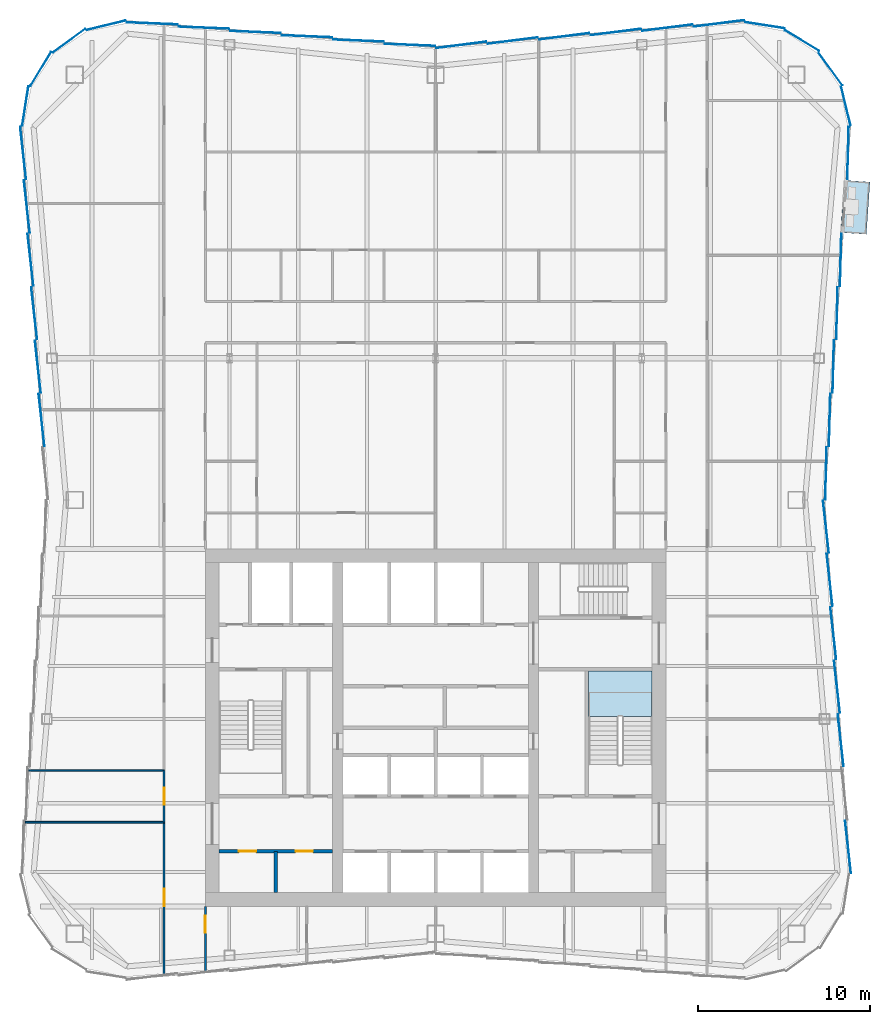
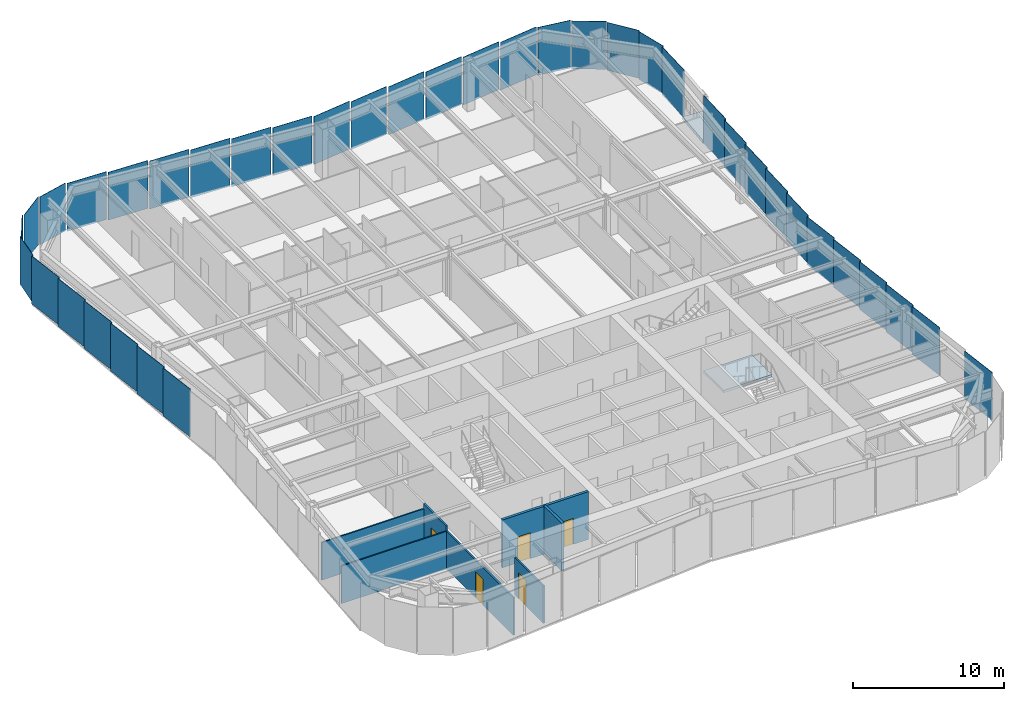
# One storey, part 5 of 12: 38 plates, 7 walls, 5 doors, 2 slabs, 5 openings, 6 elements without a shape of their own.
"""IFC4 building model written with IfcOpenShell, lengths in metres."""

from ifc_helpers import new_model, si_unit, direction, frame, frame_2d, origin, origin_2d, place, context, subcontext, project, spatial, polyline, rectangle, outline, extrude, material, layer, layer_set, type_object, element, fill, aggregate, save


model = new_model("IFC4")

# Units and contexts
model_context = context("Model", 3, precision=1e-05, world=origin(), true_north=direction((0.0, 1.0)))
body_context = subcontext(model_context, "Body", "Model", "MODEL_VIEW")
ifc_project = project(units=[si_unit("LENGTHUNIT", "METRE"), si_unit("AREAUNIT", "SQUARE_METRE"), si_unit("VOLUMEUNIT", "CUBIC_METRE"), si_unit("PLANEANGLEUNIT", "RADIAN"), si_unit("MASSUNIT", "GRAM", prefix="KILO")], contexts=[model_context])

# Site, building, storey
site_placement = place(None, origin())
site = spatial("IfcSite", under=ifc_project, at=site_placement, CompositionType="ELEMENT")
building_placement = place(site_placement, origin())
building = spatial("IfcBuilding", under=site, at=building_placement, Name="Verdant Reach Tower", CompositionType="ELEMENT")
storey_placement = place(building_placement, frame((0.0, 0.0, 242.0)))
storey = spatial("IfcBuildingStorey", under=building, at=storey_placement, Name="L55", CompositionType="ELEMENT", Elevation=242.0)

# Stair, slab
ifc_material_1 = material(Name="Concrete C40/50", Category="concrete")
stair_type = type_object("IfcStairType", Name="CO-STAIR", PredefinedType="HALF_TURN_STAIR", material=ifc_material_1)
stair_placement = place(storey_placement, origin())
stair = element("IfcStair", 1, at=stair_placement, inside=storey, type_object=stair_type, Name="L55 Exit stair 2", PredefinedType="HALF_TURN_STAIR")
ifc_layer_1 = layer(ifc_material_1, 0.199951171875)
ifc_layer_set_1 = layer_set([ifc_layer_1], Name="CO-STAIR-LANDING")
slab_type_1 = type_object("IfcSlabType", Name="CO-STAIR-LANDING", PredefinedType="LANDING", material=ifc_layer_set_1)
slab_1_placement = place(storey_placement, frame((0.0, 0.0, 1.800048828125)))
slab_1 = element("IfcSlab", 2, at=slab_1_placement, type_object=slab_type_1, Name="ST-2 landing 1", PredefinedType="LANDING", context=body_context, shape_type="SweptSolid", body=[
    extrude(outline(polyline([(12.60009765625, 28.64990234375), (12.60009765625, 31.300048828125), (8.89990234375, 31.300048828125), (8.89990234375, 28.64990234375), (12.60009765625, 28.64990234375)])), origin(), (0.0, 0.0, 1.0), 0.199951171875),
])
aggregate(stair, [slab_1])

# Slab
ifc_material_2 = material(Name="Concrete C35/45", Category="concrete")
ifc_layer_2 = layer(ifc_material_2, 0.25)
ifc_layer_set_2 = layer_set([ifc_layer_2], Name="EN-BALCONY SLAB")
slab_type_2 = type_object("IfcSlabType", Name="EN-BALCONY SLAB", PredefinedType="FLOOR", material=ifc_layer_set_2)
slab_2_placement = place(storey_placement, frame((0.0, 0.0, -0.25)))
element("IfcSlab", 3, at=slab_2_placement, inside=storey, type_object=slab_type_2, Name="Balcony slab 1, L55", PredefinedType="FLOOR", context=body_context, shape_type="SweptSolid", body=[
    extrude(outline(polyline([(23.57373046875, 56.819580078125), (23.783447265625, 59.85888671875), (25.27978515625, 59.755615234375), (25.0703125, 56.71630859375), (23.57373046875, 56.819580078125)])), origin(), (0.0, 0.0, 1.0), 0.25),
])

# Curtain wall, plates
ifc_material_3 = material(Name="Anodised aluminium", Category="aluminium")
curtain_wall_type = type_object("IfcCurtainWallType", Name="EN-CW SYSTEM Z4", PredefinedType="NOTDEFINED", material=ifc_material_3)
curtain_wall_1_placement = place(storey_placement, origin())
curtain_wall_1 = element("IfcCurtainWall", 4, at=curtain_wall_1_placement, inside=storey, type_object=curtain_wall_type, Name="Curtain wall east, L55", PredefinedType="NOTDEFINED")
ifc_material_4 = material(Name="Tinted glass with champagne spandrel", Category="glass")
ifc_layer_3 = layer(ifc_material_4, 0.031982421875)
ifc_layer_set_3 = layer_set([ifc_layer_3], Name="EN-PANEL CHAMPAGNE")
plate_type_1 = type_object("IfcPlateType", Name="EN-PANEL CHAMPAGNE", PredefinedType="CURTAIN_PANEL", material=ifc_layer_set_3)
plate_1_placement = place(storey_placement, frame((23.575927734375, 27.275634765625, -0.221923828125), z_axis=(0.0, 0.0, 1.0), x_axis=(-0.110518162674, 0.993874104562, 0.0)))
plate_1 = element("IfcPlate", 5, at=plate_1_placement, type_object=plate_type_1, Name="Glass panel east face part 1 3.1, L55", PredefinedType="CURTAIN_PANEL", context=body_context, shape_type="SweptSolid", body=[
    extrude(rectangle(XDim=3.050537109375, YDim=0.031982421875, at=origin_2d()), origin(), (0.0, 0.0, 1.0), 3.8720703125),
])
plate_2_placement = place(storey_placement, frame((23.36181640625, 30.3828125, -0.221923828125), z_axis=(0.0, 0.0, 1.0), x_axis=(-0.110518162674, 0.993874104562, 0.0)))
plate_2 = element("IfcPlate", 6, at=plate_2_placement, type_object=plate_type_1, Name="Glass panel east face part 1 4.1, L55", PredefinedType="CURTAIN_PANEL", context=body_context, shape_type="SweptSolid", body=[
    extrude(rectangle(XDim=3.050537109375, YDim=0.031982421875, at=origin_2d()), origin(), (0.0, 0.0, 1.0), 3.8720703125),
])
plate_3_placement = place(storey_placement, frame((23.1474609375, 33.48974609375, -0.221923828125), z_axis=(0.0, 0.0, 1.0), x_axis=(-0.110518162674, 0.993874104562, 0.0)))
plate_3 = element("IfcPlate", 7, at=plate_3_placement, type_object=plate_type_1, Name="Glass panel east face part 1 5.1, L55", PredefinedType="CURTAIN_PANEL", context=body_context, shape_type="SweptSolid", body=[
    extrude(rectangle(XDim=3.050537109375, YDim=0.031982421875, at=origin_2d()), origin(), (0.0, 0.0, 1.0), 3.8720703125),
])
plate_4_placement = place(storey_placement, frame((23.575927734375, 55.224365234375, -0.221923828125), z_axis=(0.0, 0.0, 1.0), x_axis=(0.026965318308, 0.999636369691, 0.0)))
plate_4 = element("IfcPlate", 8, at=plate_4_placement, type_object=plate_type_1, Name="Glass panel east face part 2 5.1, L55", PredefinedType="CURTAIN_PANEL", context=body_context, shape_type="SweptSolid", body=[
    extrude(rectangle(XDim=3.050537109375, YDim=0.031982421875, at=origin_2d()), origin(), (0.0, 0.0, 1.0), 3.8720703125),
])

curtain_wall_2_placement = place(storey_placement, origin())
curtain_wall_2 = element("IfcCurtainWall", 9, at=curtain_wall_2_placement, inside=storey, type_object=curtain_wall_type, Name="Curtain wall north-east corner, L55", PredefinedType="NOTDEFINED")
plate_5_placement = place(storey_placement, frame((21.330322265625, 67.984375, -0.221923828125), z_axis=(0.0, 0.0, 1.0), x_axis=(-0.853988708265, 0.520291539577, 0.0)))
plate_5 = element("IfcPlate", 10, at=plate_5_placement, type_object=plate_type_1, Name="Glass panel north-east corner 3.1, L55", PredefinedType="CURTAIN_PANEL", context=body_context, shape_type="SweptSolid", body=[
    extrude(rectangle(XDim=2.32080078125, YDim=0.031982421875, at=origin_2d()), origin(), (0.0, 0.0, 1.0), 3.8720703125),
])
plate_6_placement = place(storey_placement, frame((19.172607421875, 68.87939453125, -0.221923828125), z_axis=(0.0, 0.0, 1.0), x_axis=(-0.98802725693, 0.154279420415, 0.0)))
plate_6 = element("IfcPlate", 11, at=plate_6_placement, type_object=plate_type_1, Name="Glass panel north-east corner 4.1, L55", PredefinedType="CURTAIN_PANEL", context=body_context, shape_type="SweptSolid", body=[
    extrude(rectangle(XDim=2.314453125, YDim=0.031982421875, at=origin_2d()), origin(), (0.0, 0.0, 1.0), 3.8720703125),
])

curtain_wall_3_placement = place(storey_placement, origin())
curtain_wall_3 = element("IfcCurtainWall", 12, at=curtain_wall_3_placement, inside=storey, type_object=curtain_wall_type, Name="Curtain wall north, L55", PredefinedType="NOTDEFINED")
plate_7_placement = place(storey_placement, frame((13.49072265625, 68.736572265625, -0.221923828125), z_axis=(0.0, 0.0, 1.0), x_axis=(-0.992194034542, -0.124703639961, 0.0)))
plate_7 = element("IfcPlate", 13, at=plate_7_placement, type_object=plate_type_1, Name="Glass panel north face part 1 2.1, L55", PredefinedType="CURTAIN_PANEL", context=body_context, shape_type="SweptSolid", body=[
    extrude(rectangle(XDim=2.9462890625, YDim=0.031982421875, at=origin_2d()), origin(), (0.0, 0.0, 1.0), 3.8720703125),
])
plate_8_placement = place(storey_placement, frame((10.49072265625, 68.486572265625, -0.221923828125), z_axis=(0.0, 0.0, 1.0), x_axis=(-0.992194034542, -0.124703639961, 0.0)))
plate_8 = element("IfcPlate", 14, at=plate_8_placement, type_object=plate_type_1, Name="Glass panel north face part 1 3.1, L55", PredefinedType="CURTAIN_PANEL", context=body_context, shape_type="SweptSolid", body=[
    extrude(rectangle(XDim=2.9462890625, YDim=0.031982421875, at=origin_2d()), origin(), (0.0, 0.0, 1.0), 3.8720703125),
])
plate_9_placement = place(storey_placement, frame((-7.49072265625, 68.236572265625, -0.221923828125), z_axis=(0.0, 0.0, 1.0), x_axis=(-0.999149202059, 0.041241629766, 0.0)))
plate_9 = element("IfcPlate", 15, at=plate_9_placement, type_object=plate_type_1, Name="Glass panel north face part 2 3.1, L55", PredefinedType="CURTAIN_PANEL", context=body_context, shape_type="SweptSolid", body=[
    extrude(rectangle(XDim=2.9462890625, YDim=0.031982421875, at=origin_2d()), origin(), (0.0, 0.0, 1.0), 3.8720703125),
])
plate_10_placement = place(storey_placement, frame((-10.49072265625, 68.486572265625, -0.221923828125), z_axis=(0.0, 0.0, 1.0), x_axis=(-0.999149202059, 0.041241629766, 0.0)))
plate_10 = element("IfcPlate", 16, at=plate_10_placement, type_object=plate_type_1, Name="Glass panel north face part 2 4.1, L55", PredefinedType="CURTAIN_PANEL", context=body_context, shape_type="SweptSolid", body=[
    extrude(rectangle(XDim=2.9462890625, YDim=0.031982421875, at=origin_2d()), origin(), (0.0, 0.0, 1.0), 3.8720703125),
])
plate_11_placement = place(storey_placement, frame((-13.49072265625, 68.736572265625, -0.221923828125), z_axis=(0.0, 0.0, 1.0), x_axis=(-0.999149202059, 0.041241629766, 0.0)))
plate_11 = element("IfcPlate", 17, at=plate_11_placement, type_object=plate_type_1, Name="Glass panel north face part 2 5.1, L55", PredefinedType="CURTAIN_PANEL", context=body_context, shape_type="SweptSolid", body=[
    extrude(rectangle(XDim=2.9462890625, YDim=0.031982421875, at=origin_2d()), origin(), (0.0, 0.0, 1.0), 3.8720703125),
])

curtain_wall_4_placement = place(storey_placement, origin())
curtain_wall_4 = element("IfcCurtainWall", 18, at=curtain_wall_4_placement, inside=storey, type_object=curtain_wall_type, Name="Curtain wall north-west corner, L55", PredefinedType="NOTDEFINED")
plate_12_placement = place(storey_placement, frame((-21.330322265625, 67.984375, -0.221923828125), z_axis=(0.0, 0.0, 1.0), x_axis=(-0.80745677573, -0.589926737254, 0.0)))
plate_12 = element("IfcPlate", 19, at=plate_12_placement, type_object=plate_type_1, Name="Glass panel north-west corner 2.1, L55", PredefinedType="CURTAIN_PANEL", context=body_context, shape_type="SweptSolid", body=[
    extrude(rectangle(XDim=2.32080078125, YDim=0.031982421875, at=origin_2d()), origin(), (0.0, 0.0, 1.0), 3.8720703125),
])
plate_13_placement = place(storey_placement, frame((-22.984375, 66.330322265625, -0.221923828125), z_axis=(0.0, 0.0, 1.0), x_axis=(-0.520291539577, -0.853988708265, 0.0)))
plate_13 = element("IfcPlate", 20, at=plate_13_placement, type_object=plate_type_1, Name="Glass panel north-west corner 3.1, L55", PredefinedType="CURTAIN_PANEL", context=body_context, shape_type="SweptSolid", body=[
    extrude(rectangle(XDim=2.32080078125, YDim=0.031982421875, at=origin_2d()), origin(), (0.0, 0.0, 1.0), 3.8720703125),
])

# Curtain wall, plate
curtain_wall_5_placement = place(storey_placement, origin())
curtain_wall_5 = element("IfcCurtainWall", 21, at=curtain_wall_5_placement, inside=storey, type_object=curtain_wall_type, Name="Curtain wall west, L55", PredefinedType="NOTDEFINED")
plate_14_placement = place(storey_placement, frame((-24.004638671875, 61.446044921875, -0.221923828125), z_axis=(0.0, 0.0, 1.0), x_axis=(0.110205903836, -0.993908777886, 0.0)))
plate_14 = element("IfcPlate", 22, at=plate_14_placement, type_object=plate_type_1, Name="Glass panel west face part 1 1.1, L55", PredefinedType="CURTAIN_PANEL", context=body_context, shape_type="SweptSolid", body=[
    extrude(rectangle(XDim=3.0654296875, YDim=0.031982421875, at=origin_2d()), origin(), (0.0, 0.0, 1.0), 3.8720703125),
])

# Plate
ifc_material_5 = material(Name="Tinted glass with copper spandrel", Category="glass")
ifc_layer_4 = layer(ifc_material_5, 0.031982421875)
ifc_layer_set_4 = layer_set([ifc_layer_4], Name="EN-PANEL COPPER")
plate_type_2 = type_object("IfcPlateType", Name="EN-PANEL COPPER", PredefinedType="CURTAIN_PANEL", material=ifc_layer_set_4)
plate_15_placement = place(storey_placement, frame((22.93310546875, 36.596923828125, -0.221923828125), z_axis=(0.0, 0.0, 1.0), x_axis=(-0.110518162674, 0.993874104562, 0.0)))
plate_15 = element("IfcPlate", 23, at=plate_15_placement, type_object=plate_type_2, Name="Glass panel east face part 1 6.1, L55", PredefinedType="CURTAIN_PANEL", context=body_context, shape_type="SweptSolid", body=[
    extrude(rectangle(XDim=3.050537109375, YDim=0.031982421875, at=origin_2d()), origin(), (0.0, 0.0, 1.0), 3.8720703125),
])

plate_16_placement = place(storey_placement, frame((22.718994140625, 39.7001953125, -0.221923828125), z_axis=(0.0, 0.0, 1.0), x_axis=(-0.110603065042, 0.993864659802, 0.0)))
plate_16 = element("IfcPlate", 24, at=plate_16_placement, type_object=plate_type_2, Name="Glass panel east face part 1 7.1, L55", PredefinedType="CURTAIN_PANEL", context=body_context, shape_type="SweptSolid", body=[
    extrude(rectangle(XDim=3.042724609375, YDim=0.031982421875, at=origin_2d()), origin(), (0.0, 0.0, 1.0), 3.8720703125),
])

plate_17_placement = place(storey_placement, frame((22.718994140625, 42.7998046875, -0.221923828125), z_axis=(0.0, 0.0, 1.0), x_axis=(0.027050713229, 0.999634062502, 0.0)))
plate_17 = element("IfcPlate", 25, at=plate_17_placement, type_object=plate_type_2, Name="Glass panel east face part 2 1.1, L55", PredefinedType="CURTAIN_PANEL", context=body_context, shape_type="SweptSolid", body=[
    extrude(rectangle(XDim=3.042724609375, YDim=0.031982421875, at=origin_2d()), origin(), (0.0, 0.0, 1.0), 3.8720703125),
])

plate_18_placement = place(storey_placement, frame((24.004638671875, 61.446044921875, -0.221923828125), z_axis=(0.0, 0.0, 1.0), x_axis=(0.026651253217, 0.999644792265, 0.0)))
plate_18 = element("IfcPlate", 26, at=plate_18_placement, type_object=plate_type_2, Name="Glass panel east face part 2 7.1, L55", PredefinedType="CURTAIN_PANEL", context=body_context, shape_type="SweptSolid", body=[
    extrude(rectangle(XDim=3.0654296875, YDim=0.031982421875, at=origin_2d()), origin(), (0.0, 0.0, 1.0), 3.8720703125),
])

plate_19_placement = place(storey_placement, frame((7.49072265625, 68.236572265625, -0.221923828125), z_axis=(0.0, 0.0, 1.0), x_axis=(-0.992194034542, -0.124703639961, 0.0)))
plate_19 = element("IfcPlate", 27, at=plate_19_placement, type_object=plate_type_2, Name="Glass panel north face part 1 4.1, L55", PredefinedType="CURTAIN_PANEL", context=body_context, shape_type="SweptSolid", body=[
    extrude(rectangle(XDim=2.9462890625, YDim=0.031982421875, at=origin_2d()), origin(), (0.0, 0.0, 1.0), 3.8720703125),
])

plate_20_placement = place(storey_placement, frame((4.49072265625, 67.986572265625, -0.221923828125), z_axis=(0.0, 0.0, 1.0), x_axis=(-0.992194034542, -0.124703639961, 0.0)))
plate_20 = element("IfcPlate", 28, at=plate_20_placement, type_object=plate_type_2, Name="Glass panel north face part 1 5.1, L55", PredefinedType="CURTAIN_PANEL", context=body_context, shape_type="SweptSolid", body=[
    extrude(rectangle(XDim=2.9462890625, YDim=0.031982421875, at=origin_2d()), origin(), (0.0, 0.0, 1.0), 3.8720703125),
])

plate_21_placement = place(storey_placement, frame((1.495361328125, 67.73681640625, -0.221923828125), z_axis=(0.0, 0.0, 1.0), x_axis=(-0.992177950603, -0.124831543836, 0.0)))
plate_21 = element("IfcPlate", 29, at=plate_21_placement, type_object=plate_type_2, Name="Glass panel north face part 1 6.1, L55", PredefinedType="CURTAIN_PANEL", context=body_context, shape_type="SweptSolid", body=[
    extrude(rectangle(XDim=2.93701171875, YDim=0.031982421875, at=origin_2d()), origin(), (0.0, 0.0, 1.0), 3.8720703125),
])

plate_22_placement = place(storey_placement, frame((-16.49853515625, 68.98681640625, -0.221923828125), z_axis=(0.0, 0.0, 1.0), x_axis=(-0.999164016711, 0.040881141246, 0.0)))
plate_22 = element("IfcPlate", 30, at=plate_22_placement, type_object=plate_type_2, Name="Glass panel north face part 2 6.1, L55", PredefinedType="CURTAIN_PANEL", context=body_context, shape_type="SweptSolid", body=[
    extrude(rectangle(XDim=2.9619140625, YDim=0.031982421875, at=origin_2d()), origin(), (0.0, 0.0, 1.0), 3.8720703125),
])

plate_23_placement = place(storey_placement, frame((-23.87939453125, 64.173095703125, -0.221923828125), z_axis=(0.0, 0.0, 1.0), x_axis=(-0.154324690427, -0.988020187003, 0.0)))
plate_23 = element("IfcPlate", 31, at=plate_23_placement, type_object=plate_type_2, Name="Glass panel north-west corner 4.1, L55", PredefinedType="CURTAIN_PANEL", context=body_context, shape_type="SweptSolid", body=[
    extrude(rectangle(XDim=2.313720703125, YDim=0.031982421875, at=origin_2d()), origin(), (0.0, 0.0, 1.0), 3.8720703125),
])

plate_24_placement = place(storey_placement, frame((-23.790283203125, 58.33154296875, -0.221923828125), z_axis=(0.0, 0.0, 1.0), x_axis=(0.110518162674, -0.993874104562, 0.0)))
plate_24 = element("IfcPlate", 32, at=plate_24_placement, type_object=plate_type_2, Name="Glass panel west face part 1 2.1, L55", PredefinedType="CURTAIN_PANEL", context=body_context, shape_type="SweptSolid", body=[
    extrude(rectangle(XDim=3.050537109375, YDim=0.031982421875, at=origin_2d()), origin(), (0.0, 0.0, 1.0), 3.8720703125),
])

plate_25_placement = place(storey_placement, frame((-23.575927734375, 55.224365234375, -0.221923828125), z_axis=(0.0, 0.0, 1.0), x_axis=(0.110518162674, -0.993874104562, 0.0)))
plate_25 = element("IfcPlate", 33, at=plate_25_placement, type_object=plate_type_2, Name="Glass panel west face part 1 3.1, L55", PredefinedType="CURTAIN_PANEL", context=body_context, shape_type="SweptSolid", body=[
    extrude(rectangle(XDim=3.050537109375, YDim=0.031982421875, at=origin_2d()), origin(), (0.0, 0.0, 1.0), 3.8720703125),
])

plate_26_placement = place(storey_placement, frame((-23.36181640625, 52.1171875, -0.221923828125), z_axis=(0.0, 0.0, 1.0), x_axis=(0.110518162674, -0.993874104562, 0.0)))
plate_26 = element("IfcPlate", 34, at=plate_26_placement, type_object=plate_type_2, Name="Glass panel west face part 1 4.1, L55", PredefinedType="CURTAIN_PANEL", context=body_context, shape_type="SweptSolid", body=[
    extrude(rectangle(XDim=3.050537109375, YDim=0.031982421875, at=origin_2d()), origin(), (0.0, 0.0, 1.0), 3.8720703125),
])

ifc_material_6 = material(Name="Tinted glass with dark bronze spandrel", Category="glass")
ifc_layer_5 = layer(ifc_material_6, 0.031982421875)
ifc_layer_set_5 = layer_set([ifc_layer_5], Name="EN-PANEL DARK")
plate_type_3 = type_object("IfcPlateType", Name="EN-PANEL DARK", PredefinedType="CURTAIN_PANEL", material=ifc_layer_set_5)
plate_27_placement = place(storey_placement, frame((24.004638671875, 21.053955078125, -0.221923828125), z_axis=(0.0, 0.0, 1.0), x_axis=(-0.110205903836, 0.993908777886, 0.0)))
plate_27 = element("IfcPlate", 35, at=plate_27_placement, type_object=plate_type_3, Name="Glass panel east face part 1 1.1, L55", PredefinedType="CURTAIN_PANEL", context=body_context, shape_type="SweptSolid", body=[
    extrude(rectangle(XDim=3.0654296875, YDim=0.031982421875, at=origin_2d()), origin(), (0.0, 0.0, 1.0), 3.8720703125),
])

plate_28_placement = place(storey_placement, frame((22.93310546875, 45.903076171875, -0.221923828125), z_axis=(0.0, 0.0, 1.0), x_axis=(0.026965318308, 0.999636369691, 0.0)))
plate_28 = element("IfcPlate", 36, at=plate_28_placement, type_object=plate_type_3, Name="Glass panel east face part 2 2.1, L55", PredefinedType="CURTAIN_PANEL", context=body_context, shape_type="SweptSolid", body=[
    extrude(rectangle(XDim=3.050537109375, YDim=0.031982421875, at=origin_2d()), origin(), (0.0, 0.0, 1.0), 3.8720703125),
])

plate_29_placement = place(storey_placement, frame((23.1474609375, 49.01025390625, -0.221923828125), z_axis=(0.0, 0.0, 1.0), x_axis=(0.026965318308, 0.999636369691, 0.0)))
plate_29 = element("IfcPlate", 37, at=plate_29_placement, type_object=plate_type_3, Name="Glass panel east face part 2 3.1, L55", PredefinedType="CURTAIN_PANEL", context=body_context, shape_type="SweptSolid", body=[
    extrude(rectangle(XDim=3.050537109375, YDim=0.031982421875, at=origin_2d()), origin(), (0.0, 0.0, 1.0), 3.8720703125),
])

plate_30_placement = place(storey_placement, frame((23.36181640625, 52.1171875, -0.221923828125), z_axis=(0.0, 0.0, 1.0), x_axis=(0.026965318308, 0.999636369691, 0.0)))
plate_30 = element("IfcPlate", 38, at=plate_30_placement, type_object=plate_type_3, Name="Glass panel east face part 2 4.1, L55", PredefinedType="CURTAIN_PANEL", context=body_context, shape_type="SweptSolid", body=[
    extrude(rectangle(XDim=3.050537109375, YDim=0.031982421875, at=origin_2d()), origin(), (0.0, 0.0, 1.0), 3.8720703125),
])

aggregate(curtain_wall_1, [plate_27, plate_1, plate_2, plate_3, plate_15, plate_16, plate_17, plate_28, plate_29, plate_30, plate_4, plate_18])

plate_31_placement = place(storey_placement, frame((23.87939453125, 64.173095703125, -0.221923828125), z_axis=(0.0, 0.0, 1.0), x_axis=(-0.236458850433, 0.971641503875, 0.0)))
plate_31 = element("IfcPlate", 39, at=plate_31_placement, type_object=plate_type_3, Name="Glass panel north-east corner 1.1, L55", PredefinedType="CURTAIN_PANEL", context=body_context, shape_type="SweptSolid", body=[
    extrude(rectangle(XDim=2.313720703125, YDim=0.031982421875, at=origin_2d()), origin(), (0.0, 0.0, 1.0), 3.8720703125),
])

plate_32_placement = place(storey_placement, frame((22.984375, 66.330322265625, -0.221923828125), z_axis=(0.0, 0.0, 1.0), x_axis=(-0.589926737254, 0.80745677573, 0.0)))
plate_32 = element("IfcPlate", 40, at=plate_32_placement, type_object=plate_type_3, Name="Glass panel north-east corner 2.1, L55", PredefinedType="CURTAIN_PANEL", context=body_context, shape_type="SweptSolid", body=[
    extrude(rectangle(XDim=2.32080078125, YDim=0.031982421875, at=origin_2d()), origin(), (0.0, 0.0, 1.0), 3.8720703125),
])

aggregate(curtain_wall_2, [plate_31, plate_32, plate_5, plate_6])

plate_33_placement = place(storey_placement, frame((16.49853515625, 68.98681640625, -0.221923828125), z_axis=(0.0, 0.0, 1.0), x_axis=(-0.992238962139, -0.124345655383, 0.0)))
plate_33 = element("IfcPlate", 41, at=plate_33_placement, type_object=plate_type_3, Name="Glass panel north face part 1 1.1, L55", PredefinedType="CURTAIN_PANEL", context=body_context, shape_type="SweptSolid", body=[
    extrude(rectangle(XDim=2.9619140625, YDim=0.031982421875, at=origin_2d()), origin(), (0.0, 0.0, 1.0), 3.8720703125),
])

plate_34_placement = place(storey_placement, frame((-1.495361328125, 67.73681640625, -0.221923828125), z_axis=(0.0, 0.0, 1.0), x_axis=(-0.999143877249, 0.041370430933, 0.0)))
plate_34 = element("IfcPlate", 42, at=plate_34_placement, type_object=plate_type_3, Name="Glass panel north face part 2 1.1, L55", PredefinedType="CURTAIN_PANEL", context=body_context, shape_type="SweptSolid", body=[
    extrude(rectangle(XDim=2.93701171875, YDim=0.031982421875, at=origin_2d()), origin(), (0.0, 0.0, 1.0), 3.8720703125),
])

plate_35_placement = place(storey_placement, frame((-4.49072265625, 67.986572265625, -0.221923828125), z_axis=(0.0, 0.0, 1.0), x_axis=(-0.999149202059, 0.041241629766, 0.0)))
plate_35 = element("IfcPlate", 43, at=plate_35_placement, type_object=plate_type_3, Name="Glass panel north face part 2 2.1, L55", PredefinedType="CURTAIN_PANEL", context=body_context, shape_type="SweptSolid", body=[
    extrude(rectangle(XDim=2.9462890625, YDim=0.031982421875, at=origin_2d()), origin(), (0.0, 0.0, 1.0), 3.8720703125),
])

aggregate(curtain_wall_3, [plate_33, plate_7, plate_8, plate_19, plate_20, plate_21, plate_34, plate_35, plate_9, plate_10, plate_11, plate_22])

plate_36_placement = place(storey_placement, frame((-19.172607421875, 68.87939453125, -0.221923828125), z_axis=(0.0, 0.0, 1.0), x_axis=(-0.971652337104, -0.236414330786, 0.0)))
plate_36 = element("IfcPlate", 44, at=plate_36_placement, type_object=plate_type_3, Name="Glass panel north-west corner 1.1, L55", PredefinedType="CURTAIN_PANEL", context=body_context, shape_type="SweptSolid", body=[
    extrude(rectangle(XDim=2.314453125, YDim=0.031982421875, at=origin_2d()), origin(), (0.0, 0.0, 1.0), 3.8720703125),
])

aggregate(curtain_wall_4, [plate_36, plate_12, plate_13, plate_23])

plate_37_placement = place(storey_placement, frame((-23.1474609375, 49.01025390625, -0.221923828125), z_axis=(0.0, 0.0, 1.0), x_axis=(0.110518162674, -0.993874104562, 0.0)))
plate_37 = element("IfcPlate", 45, at=plate_37_placement, type_object=plate_type_3, Name="Glass panel west face part 1 5.1, L55", PredefinedType="CURTAIN_PANEL", context=body_context, shape_type="SweptSolid", body=[
    extrude(rectangle(XDim=3.050537109375, YDim=0.031982421875, at=origin_2d()), origin(), (0.0, 0.0, 1.0), 3.8720703125),
])

plate_38_placement = place(storey_placement, frame((-22.93310546875, 45.903076171875, -0.221923828125), z_axis=(0.0, 0.0, 1.0), x_axis=(0.110518162674, -0.993874104562, 0.0)))
plate_38 = element("IfcPlate", 46, at=plate_38_placement, type_object=plate_type_3, Name="Glass panel west face part 1 6.1, L55", PredefinedType="CURTAIN_PANEL", context=body_context, shape_type="SweptSolid", body=[
    extrude(rectangle(XDim=3.050537109375, YDim=0.031982421875, at=origin_2d()), origin(), (0.0, 0.0, 1.0), 3.8720703125),
])

aggregate(curtain_wall_5, [plate_14, plate_24, plate_25, plate_26, plate_37, plate_38])

# Wall, openings, doors
ifc_material_7 = material(Name="Gypsum board on steel studs", Category="steel")
ifc_layer_6 = layer(ifc_material_7, 0.199951171875)
ifc_layer_set_6 = layer_set([ifc_layer_6], Name="CO-WALL-ROOM")
wall_type_1 = type_object("IfcWallType", Name="CO-WALL-ROOM", PredefinedType="PARTITIONING", material=ifc_layer_set_6)
wall_1_placement = place(storey_placement, frame((-12.60009765625, 20.800048828125, 0.0), z_axis=(0.0, 0.0, 1.0), x_axis=(1.0, 0.0, 0.0)))
wall_1 = element("IfcWall", 47, at=wall_1_placement, inside=storey, type_object=wall_type_1, Name="Core partition, L55", PredefinedType="PARTITIONING", context=body_context, shape_type="SweptSolid", body=[
    extrude(rectangle(XDim=6.60009765625, YDim=0.199951171875, at=frame_2d((3.300048828125, 0.0))), origin(), (0.0, 0.0, 1.0), 3.8701171875),
])
opening_1_placement = place(wall_1_placement, frame((1.14990234375, 0.0, 0.0)))
opening_1 = element("IfcOpeningElement", 48, at=opening_1_placement, cuts=wall_1, Name="Opening CD", PredefinedType="OPENING", context=body_context, shape_type="SweptSolid", body=[
    extrude(rectangle(XDim=1.0, YDim=2.10009765625, at=frame_2d((0.5, 1.050048828125))), frame((0.0, 0.10986328125, 0.0), z_axis=(0.0, -1.0, 0.0), x_axis=(1.0, 0.0, 0.0)), (0.0, 0.0, 1.0), 0.219970703125),
])
opening_2_placement = place(wall_1_placement, frame((4.449951171875, 0.0, 0.0)))
opening_2 = element("IfcOpeningElement", 49, at=opening_2_placement, cuts=wall_1, Name="Opening CD", PredefinedType="OPENING", context=body_context, shape_type="SweptSolid", body=[
    extrude(rectangle(XDim=1.0, YDim=2.10009765625, at=frame_2d((0.5, 1.050048828125))), frame((0.0, 0.10986328125, 0.0), z_axis=(0.0, -1.0, 0.0), x_axis=(1.0, 0.0, 0.0)), (0.0, 0.0, 1.0), 0.219970703125),
])
ifc_material_8 = material(Name="Timber", Category="wood")
door_type_1 = type_object("IfcDoorType", Name="CO-DOOR-ROOM", OperationType="NOTDEFINED", PredefinedType="DOOR", material=ifc_material_8)
door_1_placement = place(opening_1_placement, origin())
door_1 = element("IfcDoor", 50, at=door_1_placement, inside=storey, type_object=door_type_1, Name="Core room door, L55", OperationType="SINGLE_SWING_LEFT", OverallHeight=2.10009765625, OverallWidth=1.0, PredefinedType="DOOR", context=body_context, shape_type="SweptSolid", body=[
    extrude(rectangle(XDim=1.0, YDim=2.10009765625, at=frame_2d((0.5, 1.050048828125))), frame((0.0, 0.02490234375, 0.0), z_axis=(0.0, -1.0, 0.0), x_axis=(1.0, 0.0, 0.0)), (0.0, 0.0, 1.0), 0.050048828125),
])
fill(opening_1, door_1)
door_2_placement = place(opening_2_placement, origin())
door_2 = element("IfcDoor", 51, at=door_2_placement, inside=storey, type_object=door_type_1, Name="Core room door, L55", OperationType="SINGLE_SWING_LEFT", OverallHeight=2.10009765625, OverallWidth=1.0, PredefinedType="DOOR", context=body_context, shape_type="SweptSolid", body=[
    extrude(rectangle(XDim=1.0, YDim=2.10009765625, at=frame_2d((0.5, 1.050048828125))), frame((0.0, 0.02490234375, 0.0), z_axis=(0.0, -1.0, 0.0), x_axis=(1.0, 0.0, 0.0)), (0.0, 0.0, 1.0), 0.050048828125),
])
fill(opening_2, door_2)

# Walls
wall_2_placement = place(storey_placement, frame((-9.300048828125, 18.39990234375, 0.0), z_axis=(0.0, 0.0, 1.0), x_axis=(0.0, 1.0, 0.0)))
element("IfcWall", 52, at=wall_2_placement, inside=storey, type_object=wall_type_1, Name="Core partition, L55", PredefinedType="PARTITIONING", context=body_context, shape_type="SweptSolid", body=[
    extrude(rectangle(XDim=2.400146484375, YDim=0.199951171875, at=frame_2d((1.2001953125, 0.0))), origin(), (0.0, 0.0, 1.0), 3.8701171875),
])
ifc_layer_7 = layer(ifc_material_7, 0.10009765625)
ifc_layer_set_7 = layer_set([ifc_layer_7], Name="FL-W1 Partition 100")
wall_type_2 = type_object("IfcWallType", Name="FL-W1 Partition 100", PredefinedType="PARTITIONING", material=ifc_layer_set_7)
wall_3_placement = place(storey_placement, frame((-15.800048828125, 22.5, 0.0), z_axis=(0.0, 0.0, 1.0), x_axis=(-1.0, 0.0, 0.0)))
element("IfcWall", 53, at=wall_3_placement, inside=storey, type_object=wall_type_2, Name="Partition 55.38", PredefinedType="PARTITIONING", context=body_context, shape_type="SweptSolid", body=[
    extrude(rectangle(XDim=8.072998046875, YDim=0.10009765625, at=frame_2d((4.03662109375, 0.0))), origin(), (0.0, 0.0, 1.0), 3.0400390625),
])
wall_4_placement = place(storey_placement, frame((-15.800048828125, 25.5, 0.0), z_axis=(0.0, 0.0, 1.0), x_axis=(-1.0, 0.0, 0.0)))
element("IfcWall", 54, at=wall_4_placement, inside=storey, type_object=wall_type_2, Name="Partition 55.39", PredefinedType="PARTITIONING", context=body_context, shape_type="SweptSolid", body=[
    extrude(rectangle(XDim=7.8662109375, YDim=0.10009765625, at=frame_2d((3.93310546875, 0.0))), origin(), (0.0, 0.0, 1.0), 3.0400390625),
])

# Wall, opening, door
ifc_material_9 = material(Name="Gypsum board on steel studs, fire rated", Category="steel")
ifc_layer_8 = layer(ifc_material_9, 0.125)
ifc_layer_set_8 = layer_set([ifc_layer_8], Name="FL-W2 Corridor wall 125")
wall_type_3 = type_object("IfcWallType", Name="FL-W2 Corridor wall 125", PredefinedType="PARTITIONING", material=ifc_layer_set_8)
wall_5_placement = place(storey_placement, frame((-15.800048828125, 13.603271484375, 0.0), z_axis=(0.0, 0.0, 1.0), x_axis=(0.0, 1.0, 0.0)))
wall_5 = element("IfcWall", 55, at=wall_5_placement, inside=storey, type_object=wall_type_3, Name="Partition 55.01", PredefinedType="PARTITIONING", context=body_context, shape_type="SweptSolid", body=[
    extrude(rectangle(XDim=8.896728515625, YDim=0.125, at=frame_2d((4.4482421875, 0.0))), origin(), (0.0, 0.0, 1.0), 3.0400390625),
])
opening_3_placement = place(wall_5_placement, frame((4.013427734375, 0.0, 0.0)))
opening_3 = element("IfcOpeningElement", 56, at=opening_3_placement, cuts=wall_5, Name="Opening D2", PredefinedType="OPENING", context=body_context, shape_type="SweptSolid", body=[
    extrude(rectangle(XDim=1.0, YDim=2.10009765625, at=frame_2d((0.5, 1.050048828125))), frame((0.0, 0.072509765625, 0.0), z_axis=(0.0, -1.0, 0.0), x_axis=(1.0, 0.0, 0.0)), (0.0, 0.0, 1.0), 0.14501953125),
])
ifc_material_10 = material(Name="Timber door leaf, fire rated", Category="wood")
door_type_2 = type_object("IfcDoorType", Name="FL-D2 Entrance door 1000x2100 FD30", OperationType="NOTDEFINED", PredefinedType="DOOR", material=ifc_material_10)
door_3_placement = place(opening_3_placement, origin())
door_3 = element("IfcDoor", 57, at=door_3_placement, inside=storey, type_object=door_type_2, Name="Door 55-001", OperationType="SINGLE_SWING_RIGHT", OverallHeight=2.10009765625, OverallWidth=1.0, PredefinedType="DOOR", context=body_context, shape_type="SweptSolid", body=[
    extrude(rectangle(XDim=1.0, YDim=2.10009765625, at=frame_2d((0.5, 1.050048828125))), frame((0.0, 0.02490234375, 0.0), z_axis=(0.0, -1.0, 0.0), x_axis=(1.0, 0.0, 0.0)), (0.0, 0.0, 1.0), 0.050048828125),
])
fill(opening_3, door_3)

wall_6_placement = place(storey_placement, frame((-15.800048828125, 22.5, 0.0), z_axis=(0.0, 0.0, 1.0), x_axis=(0.0, 1.0, 0.0)))
wall_6 = element("IfcWall", 58, at=wall_6_placement, inside=storey, type_object=wall_type_3, Name="Partition 55.02", PredefinedType="PARTITIONING", context=body_context, shape_type="SweptSolid", body=[
    extrude(rectangle(XDim=3.0, YDim=0.125, at=frame_2d((1.5, 0.0))), origin(), (0.0, 0.0, 1.0), 3.43994140625),
])
opening_4_placement = place(wall_6_placement, frame((1.0, 0.0, 0.0)))
opening_4 = element("IfcOpeningElement", 59, at=opening_4_placement, cuts=wall_6, Name="Opening D2", PredefinedType="OPENING", context=body_context, shape_type="SweptSolid", body=[
    extrude(rectangle(XDim=1.0, YDim=2.10009765625, at=frame_2d((0.5, 1.050048828125))), frame((0.0, 0.072509765625, 0.0), z_axis=(0.0, -1.0, 0.0), x_axis=(1.0, 0.0, 0.0)), (0.0, 0.0, 1.0), 0.14501953125),
])
door_4_placement = place(opening_4_placement, origin())
door_4 = element("IfcDoor", 60, at=door_4_placement, inside=storey, type_object=door_type_2, Name="Door 55-002", OperationType="SINGLE_SWING_RIGHT", OverallHeight=2.10009765625, OverallWidth=1.0, PredefinedType="DOOR", context=body_context, shape_type="SweptSolid", body=[
    extrude(rectangle(XDim=1.0, YDim=2.10009765625, at=frame_2d((0.5, 1.050048828125))), frame((0.0, 0.02490234375, 0.0), z_axis=(0.0, -1.0, 0.0), x_axis=(1.0, 0.0, 0.0)), (0.0, 0.0, 1.0), 0.050048828125),
])
fill(opening_4, door_4)

wall_7_placement = place(storey_placement, frame((-13.39990234375, 17.60009765625, 0.0), z_axis=(0.0, 0.0, 1.0), x_axis=(0.0, -1.0, 0.0)))
wall_7 = element("IfcWall", 61, at=wall_7_placement, inside=storey, type_object=wall_type_3, Name="Partition 55.15", PredefinedType="PARTITIONING", context=body_context, shape_type="SweptSolid", body=[
    extrude(rectangle(XDim=3.796875, YDim=0.125, at=frame_2d((1.8984375, 0.0))), origin(), (0.0, 0.0, 1.0), 3.0400390625),
])
opening_5_placement = place(wall_7_placement, frame((0.533203125, 0.0, 0.0)))
opening_5 = element("IfcOpeningElement", 62, at=opening_5_placement, cuts=wall_7, Name="Opening D2", PredefinedType="OPENING", context=body_context, shape_type="SweptSolid", body=[
    extrude(rectangle(XDim=1.0, YDim=2.10009765625, at=frame_2d((0.5, 1.050048828125))), frame((0.0, 0.072509765625, 0.0), z_axis=(0.0, -1.0, 0.0), x_axis=(1.0, 0.0, 0.0)), (0.0, 0.0, 1.0), 0.14501953125),
])
door_5_placement = place(opening_5_placement, origin())
door_5 = element("IfcDoor", 63, at=door_5_placement, inside=storey, type_object=door_type_2, Name="Door 55-015", OperationType="SINGLE_SWING_LEFT", OverallHeight=2.10009765625, OverallWidth=1.0, PredefinedType="DOOR", context=body_context, shape_type="SweptSolid", body=[
    extrude(rectangle(XDim=1.0, YDim=2.10009765625, at=frame_2d((0.5, 1.050048828125))), frame((0.0, 0.02490234375, 0.0), z_axis=(0.0, -1.0, 0.0), x_axis=(1.0, 0.0, 0.0)), (0.0, 0.0, 1.0), 0.050048828125),
])
fill(opening_5, door_5)

save(model, "model.ifc")
